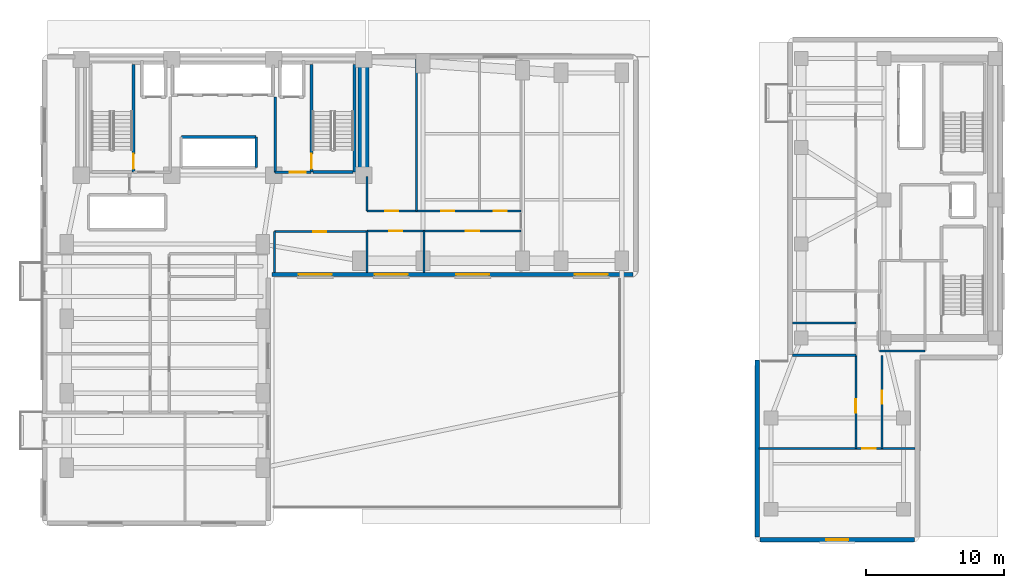
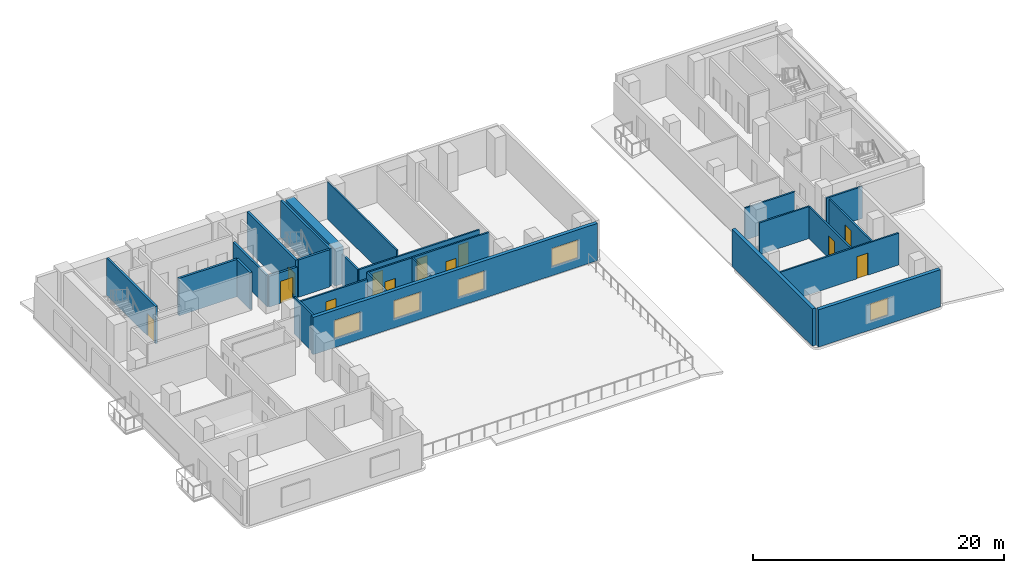
# One storey, part 4 of 10: 26 walls, 12 doors, 5 windows, 17 openings.
"""IFC4 building model written with IfcOpenShell, lengths in metres."""

from ifc_helpers import new_model, si_unit, direction, frame, frame_2d, origin, place, context, subcontext, project, spatial, rectangle, extrude, material, layer, layer_set, type_object, element, fill, save


model = new_model("IFC4")

# Units and contexts
model_context = context("Model", 3, precision=1e-05, world=origin(), true_north=direction((0.0, 1.0)))
body_context = subcontext(model_context, "Body", "Model", "MODEL_VIEW")
ifc_project = project(units=[si_unit("LENGTHUNIT", "METRE"), si_unit("AREAUNIT", "SQUARE_METRE"), si_unit("VOLUMEUNIT", "CUBIC_METRE"), si_unit("PLANEANGLEUNIT", "RADIAN"), si_unit("MASSUNIT", "GRAM", prefix="KILO")], contexts=[model_context])

# Site, building, storey
site_placement = place(None, origin())
site = spatial("IfcSite", under=ifc_project, at=site_placement, CompositionType="ELEMENT")
building_placement = place(site_placement, origin())
building = spatial("IfcBuilding", under=site, at=building_placement, Name="Kuzgunbayir Cultural Tower", CompositionType="ELEMENT")
storey_placement = place(building_placement, frame((0.0, 0.0, 26.39990234375)))
storey = spatial("IfcBuildingStorey", under=building, at=storey_placement, Name="L06", CompositionType="ELEMENT", Elevation=26.39990234375)

# Wall
ifc_material_1 = material(Name="Concrete C60/75", Category="concrete")
ifc_layer_1 = layer(ifc_material_1, 0.800048828125)
ifc_layer_set_1 = layer_set([ifc_layer_1], Name="Concrete C60/75")
wall_type_1 = type_object("IfcWallType", Name="WAL-CORE-800", PredefinedType="SHEAR", material=ifc_layer_set_1)
wall_1_placement = place(storey_placement, frame((26.89990234375, 33.800048828125, 0.0), z_axis=(0.0, 0.0, 1.0), x_axis=(0.0, 1.0, 0.0)))
element("IfcWall", 1, at=wall_1_placement, inside=storey, type_object=wall_type_1, Name="L06 T1 Core East Shear Wall", PredefinedType="SHEAR", context=body_context, shape_type="SweptSolid", body=[
    extrude(rectangle(XDim=7.949951171875, YDim=0.800048828125, at=frame_2d((3.97509765625, 0.0))), origin(), (0.0, 0.0, 1.0), 3.6201171875),
])

# Wall, openings, windows
ifc_material_2 = material(Name="Travertine Buff Ashlar", Category="masonry")
ifc_layer_2 = layer(ifc_material_2, 0.320068359375)
ifc_layer_set_2 = layer_set([ifc_layer_2], Name="Travertine Buff Ashlar")
wall_type_2 = type_object("IfcWallType", Name="WAL-EXT-STONE-320", PredefinedType="STANDARD", material=ifc_layer_set_2)
wall_2_placement = place(storey_placement, frame((20.25, 26.60009765625, 0.0), z_axis=(0.0, 0.0, 1.0), x_axis=(1.0, 0.0, 0.0)))
wall_2 = element("IfcWall", 2, at=wall_2_placement, inside=storey, type_object=wall_type_2, Name="L06 Wing B South Limestone Wall", PredefinedType="STANDARD", context=body_context, shape_type="SweptSolid", body=[
    extrude(rectangle(XDim=26.14990234375, YDim=0.320068359375, at=frame_2d((13.074951171875, 0.0))), origin(), (0.0, 0.0, 1.0), 3.6201171875),
])
opening_1_placement = place(wall_2_placement, frame((1.949951171875, 0.0, 0.85009765625)))
opening_1 = element("IfcOpeningElement", 3, at=opening_1_placement, cuts=wall_2, Name="Opening WO-24", PredefinedType="OPENING", context=body_context, shape_type="SweptSolid", body=[
    extrude(rectangle(XDim=2.39990234375, YDim=1.800048828125, at=frame_2d((1.199951171875, 0.89990234375))), frame((0.0, 0.169921875, 0.0), z_axis=(0.0, -1.0, 0.0), x_axis=(1.0, 0.0, 0.0)), (0.0, 0.0, 1.0), 0.340087890625),
])
opening_2_placement = place(wall_2_placement, frame((7.449951171875, 0.0, 0.85009765625)))
opening_2 = element("IfcOpeningElement", 4, at=opening_2_placement, cuts=wall_2, Name="Opening WO-24", PredefinedType="OPENING", context=body_context, shape_type="SweptSolid", body=[
    extrude(rectangle(XDim=2.39990234375, YDim=1.800048828125, at=frame_2d((1.199951171875, 0.89990234375))), frame((0.0, 0.169921875, 0.0), z_axis=(0.0, -1.0, 0.0), x_axis=(1.0, 0.0, 0.0)), (0.0, 0.0, 1.0), 0.340087890625),
])
opening_3_placement = place(wall_2_placement, frame((13.35009765625, 0.0, 0.85009765625)))
opening_3 = element("IfcOpeningElement", 5, at=opening_3_placement, cuts=wall_2, Name="Opening WO-24", PredefinedType="OPENING", context=body_context, shape_type="SweptSolid", body=[
    extrude(rectangle(XDim=2.39990234375, YDim=1.800048828125, at=frame_2d((1.199951171875, 0.89990234375))), frame((0.0, 0.169921875, 0.0), z_axis=(0.0, -1.0, 0.0), x_axis=(1.0, 0.0, 0.0)), (0.0, 0.0, 1.0), 0.340087890625),
])
opening_4_placement = place(wall_2_placement, frame((21.949951171875, 0.0, 0.85009765625)))
opening_4 = element("IfcOpeningElement", 6, at=opening_4_placement, cuts=wall_2, Name="Opening WO-24", PredefinedType="OPENING", context=body_context, shape_type="SweptSolid", body=[
    extrude(rectangle(XDim=2.39990234375, YDim=1.800048828125, at=frame_2d((1.199951171875, 0.89990234375))), frame((0.0, 0.169921875, 0.0), z_axis=(0.0, -1.0, 0.0), x_axis=(1.0, 0.0, 0.0)), (0.0, 0.0, 1.0), 0.340087890625),
])
ifc_material_3 = material(Name="Solar-Control Triple Glazing", Category="glass")
window_type_1 = type_object("IfcWindowType", Name="WIN-OFFICE-24", PartitioningType="SINGLE_PANEL", PredefinedType="WINDOW", material=ifc_material_3)
window_1_placement = place(opening_1_placement, origin())
window_1 = element("IfcWindow", 7, at=window_1_placement, inside=storey, type_object=window_type_1, Name="L06 WBS Facade Window 8", OverallHeight=1.800048828125, OverallWidth=2.39990234375, PartitioningType="SINGLE_PANEL", PredefinedType="WINDOW", context=body_context, shape_type="SweptSolid", body=[
    extrude(rectangle(XDim=2.39990234375, YDim=1.800048828125, at=frame_2d((1.199951171875, 0.89990234375))), frame((0.0, 0.030029296875, 0.0), z_axis=(0.0, -1.0, 0.0), x_axis=(1.0, 0.0, 0.0)), (0.0, 0.0, 1.0), 0.06005859375),
])
fill(opening_1, window_1)
window_2_placement = place(opening_2_placement, origin())
window_2 = element("IfcWindow", 8, at=window_2_placement, inside=storey, type_object=window_type_1, Name="L06 WBS Facade Window 9", OverallHeight=1.800048828125, OverallWidth=2.39990234375, PartitioningType="SINGLE_PANEL", PredefinedType="WINDOW", context=body_context, shape_type="SweptSolid", body=[
    extrude(rectangle(XDim=2.39990234375, YDim=1.800048828125, at=frame_2d((1.199951171875, 0.89990234375))), frame((0.0, 0.030029296875, 0.0), z_axis=(0.0, -1.0, 0.0), x_axis=(1.0, 0.0, 0.0)), (0.0, 0.0, 1.0), 0.06005859375),
])
fill(opening_2, window_2)
window_3_placement = place(opening_3_placement, origin())
window_3 = element("IfcWindow", 9, at=window_3_placement, inside=storey, type_object=window_type_1, Name="L06 WBS Facade Window 10", OverallHeight=1.800048828125, OverallWidth=2.39990234375, PartitioningType="SINGLE_PANEL", PredefinedType="WINDOW", context=body_context, shape_type="SweptSolid", body=[
    extrude(rectangle(XDim=2.39990234375, YDim=1.800048828125, at=frame_2d((1.199951171875, 0.89990234375))), frame((0.0, 0.030029296875, 0.0), z_axis=(0.0, -1.0, 0.0), x_axis=(1.0, 0.0, 0.0)), (0.0, 0.0, 1.0), 0.06005859375),
])
fill(opening_3, window_3)
window_4_placement = place(opening_4_placement, origin())
window_4 = element("IfcWindow", 10, at=window_4_placement, inside=storey, type_object=window_type_1, Name="L06 WBS Facade Window 11", OverallHeight=1.800048828125, OverallWidth=2.39990234375, PartitioningType="SINGLE_PANEL", PredefinedType="WINDOW", context=body_context, shape_type="SweptSolid", body=[
    extrude(rectangle(XDim=2.39990234375, YDim=1.800048828125, at=frame_2d((1.199951171875, 0.89990234375))), frame((0.0, 0.030029296875, 0.0), z_axis=(0.0, -1.0, 0.0), x_axis=(1.0, 0.0, 0.0)), (0.0, 0.0, 1.0), 0.06005859375),
])
fill(opening_4, window_4)

# Wall, opening, window
wall_3_placement = place(storey_placement, frame((55.60009765625, 7.39990234375, 0.0), z_axis=(0.0, 0.0, 1.0), x_axis=(1.0, 0.0, 0.0)))
wall_3 = element("IfcWall", 11, at=wall_3_placement, inside=storey, type_object=wall_type_2, Name="L06 Companion Wing B South Wall", PredefinedType="STANDARD", context=body_context, shape_type="SweptSolid", body=[
    extrude(rectangle(XDim=11.199951171875, YDim=0.320068359375, at=frame_2d((5.60009765625, 0.0))), origin(), (0.0, 0.0, 1.0), 3.6201171875),
])
opening_5_placement = place(wall_3_placement, frame((4.800048828125, 0.0, 0.85009765625)))
opening_5 = element("IfcOpeningElement", 12, at=opening_5_placement, cuts=wall_3, Name="Opening WC-16", PredefinedType="OPENING", context=body_context, shape_type="SweptSolid", body=[
    extrude(rectangle(XDim=1.60009765625, YDim=1.699951171875, at=frame_2d((0.800048828125, 0.85009765625))), frame((0.0, 0.169921875, 0.0), z_axis=(0.0, -1.0, 0.0), x_axis=(1.0, 0.0, 0.0)), (0.0, 0.0, 1.0), 0.340087890625),
])
window_type_2 = type_object("IfcWindowType", Name="WIN-COMP-16", PartitioningType="SINGLE_PANEL", PredefinedType="WINDOW", material=ifc_material_3)
window_5_placement = place(opening_5_placement, origin())
window_5 = element("IfcWindow", 13, at=window_5_placement, inside=storey, type_object=window_type_2, Name="L06 Companion South Window", OverallHeight=1.699951171875, OverallWidth=1.60009765625, PartitioningType="SINGLE_PANEL", PredefinedType="WINDOW", context=body_context, shape_type="SweptSolid", body=[
    extrude(rectangle(XDim=1.60009765625, YDim=1.699951171875, at=frame_2d((0.800048828125, 0.85009765625))), frame((0.0, 0.030029296875, 0.0), z_axis=(0.0, -1.0, 0.0), x_axis=(1.0, 0.0, 0.0)), (0.0, 0.0, 1.0), 0.06005859375),
])
fill(opening_5, window_5)

# Wall
wall_4_placement = place(storey_placement, frame((55.39990234375, 20.39990234375, 0.0), z_axis=(0.0, 0.0, 1.0), x_axis=(0.0, -1.0, 0.0)))
element("IfcWall", 14, at=wall_4_placement, inside=storey, type_object=wall_type_2, Name="L06 Companion Wing B West Wall", PredefinedType="STANDARD", context=body_context, shape_type="SweptSolid", body=[
    extrude(rectangle(XDim=12.7998046875, YDim=0.320068359375, at=frame_2d((6.39990234375, 0.0))), origin(), (0.0, 0.0, 1.0), 3.6201171875),
])

# Wall, opening, door
ifc_material_4 = material(Name="Acoustic Double-Stud Drywall", Category="gypsum")
ifc_layer_3 = layer(ifc_material_4, 0.14990234375)
ifc_layer_set_3 = layer_set([ifc_layer_3], Name="Acoustic Double-Stud Drywall")
wall_type_3 = type_object("IfcWallType", Name="WAL-PART-ACOUSTIC-150", PredefinedType="PARTITIONING", material=ifc_layer_set_3)
wall_5_placement = place(storey_placement, frame((20.449951171875, 29.699951171875, 0.0), z_axis=(0.0, 0.0, 1.0), x_axis=(1.0, 0.0, 0.0)))
wall_5 = element("IfcWall", 15, at=wall_5_placement, inside=storey, type_object=wall_type_3, Name="L06 Waist Alcove North Wall", PredefinedType="PARTITIONING", context=body_context, shape_type="SweptSolid", body=[
    extrude(rectangle(XDim=6.699951171875, YDim=0.14990234375, at=frame_2d((3.35009765625, 0.0))), origin(), (0.0, 0.0, 1.0), 3.0),
])
opening_6_placement = place(wall_5_placement, frame((2.800048828125, 0.0, 0.0)))
opening_6 = element("IfcOpeningElement", 16, at=opening_6_placement, cuts=wall_5, Name="Opening DI-90", PredefinedType="OPENING", context=body_context, shape_type="SweptSolid", body=[
    extrude(rectangle(XDim=0.949951171875, YDim=2.14990234375, at=frame_2d((0.47509765625, 1.074951171875))), frame((0.0, 0.0849609375, 0.0), z_axis=(0.0, -1.0, 0.0), x_axis=(1.0, 0.0, 0.0)), (0.0, 0.0, 1.0), 0.169921875),
])
ifc_material_5 = material(Name="Veneered Oak Single Leaf", Category="wood")
door_type_1 = type_object("IfcDoorType", Name="DR-INT-90", OperationType="NOTDEFINED", PredefinedType="DOOR", material=ifc_material_5)
door_1_placement = place(opening_6_placement, origin())
door_1 = element("IfcDoor", 17, at=door_1_placement, inside=storey, type_object=door_type_1, Name="L06 Waist Alcove Door", OperationType="SINGLE_SWING_LEFT", OverallHeight=2.14990234375, OverallWidth=0.949951171875, PredefinedType="DOOR", context=body_context, shape_type="SweptSolid", body=[
    extrude(rectangle(XDim=0.949951171875, YDim=2.14990234375, at=frame_2d((0.47509765625, 1.074951171875))), frame((0.0, 0.02490234375, 0.0), z_axis=(0.0, -1.0, 0.0), x_axis=(1.0, 0.0, 0.0)), (0.0, 0.0, 1.0), 0.050048828125),
])
fill(opening_6, door_1)

# Walls
wall_6_placement = place(storey_placement, frame((20.449951171875, 26.75, 0.0), z_axis=(0.0, 0.0, 1.0), x_axis=(0.0, 1.0, 0.0)))
element("IfcWall", 18, at=wall_6_placement, inside=storey, type_object=wall_type_3, Name="L06 Waist Alcove West Wall", PredefinedType="PARTITIONING", context=body_context, shape_type="SweptSolid", body=[
    extrude(rectangle(XDim=2.949951171875, YDim=0.14990234375, at=frame_2d((1.47509765625, 0.0))), origin(), (0.0, 0.0, 1.0), 3.6201171875),
])
wall_7_placement = place(storey_placement, frame((27.14990234375, 26.75, 0.0), z_axis=(0.0, 0.0, 1.0), x_axis=(0.0, 1.0, 0.0)))
element("IfcWall", 19, at=wall_7_placement, inside=storey, type_object=wall_type_3, Name="L06 Waist Alcove East Wall", PredefinedType="PARTITIONING", context=body_context, shape_type="SweptSolid", body=[
    extrude(rectangle(XDim=3.0, YDim=0.14990234375, at=frame_2d((1.5, 0.0))), origin(), (0.0, 0.0, 1.0), 3.6201171875),
])

# Wall, openings, doors
wall_8_placement = place(storey_placement, frame((27.14990234375, 29.75, 0.0), z_axis=(0.0, 0.0, 1.0), x_axis=(1.0, 0.0, 0.0)))
wall_8 = element("IfcWall", 20, at=wall_8_placement, inside=storey, type_object=wall_type_3, Name="L06 Wing B Corridor South Wall", PredefinedType="PARTITIONING", context=body_context, shape_type="SweptSolid", body=[
    extrude(rectangle(XDim=11.150146484375, YDim=0.14990234375, at=frame_2d((5.5751953125, 0.0))), origin(), (0.0, 0.0, 1.0), 3.6201171875),
])
opening_7_placement = place(wall_8_placement, frame((1.590087890625, 0.0, 0.0)))
opening_7 = element("IfcOpeningElement", 21, at=opening_7_placement, cuts=wall_8, Name="Opening DI-90", PredefinedType="OPENING", context=body_context, shape_type="SweptSolid", body=[
    extrude(rectangle(XDim=0.949951171875, YDim=2.14990234375, at=frame_2d((0.47509765625, 1.074951171875))), frame((0.0, 0.0849609375, 0.0), z_axis=(0.0, -1.0, 0.0), x_axis=(1.0, 0.0, 0.0)), (0.0, 0.0, 1.0), 0.169921875),
])
opening_8_placement = place(wall_8_placement, frame((7.159912109375, 0.0, 0.0)))
opening_8 = element("IfcOpeningElement", 22, at=opening_8_placement, cuts=wall_8, Name="Opening DI-90", PredefinedType="OPENING", context=body_context, shape_type="SweptSolid", body=[
    extrude(rectangle(XDim=0.949951171875, YDim=2.14990234375, at=frame_2d((0.47509765625, 1.074951171875))), frame((0.0, 0.0849609375, 0.0), z_axis=(0.0, -1.0, 0.0), x_axis=(1.0, 0.0, 0.0)), (0.0, 0.0, 1.0), 0.169921875),
])
door_2_placement = place(opening_7_placement, origin())
door_2 = element("IfcDoor", 23, at=door_2_placement, inside=storey, type_object=door_type_1, Name="L06 Wing B Curatorial Office 1 Door", OperationType="SINGLE_SWING_RIGHT", OverallHeight=2.14990234375, OverallWidth=0.949951171875, PredefinedType="DOOR", context=body_context, shape_type="SweptSolid", body=[
    extrude(rectangle(XDim=0.949951171875, YDim=2.14990234375, at=frame_2d((0.47509765625, 1.074951171875))), frame((0.0, 0.02490234375, 0.0), z_axis=(0.0, -1.0, 0.0), x_axis=(1.0, 0.0, 0.0)), (0.0, 0.0, 1.0), 0.050048828125),
])
fill(opening_7, door_2)
door_3_placement = place(opening_8_placement, origin())
door_3 = element("IfcDoor", 24, at=door_3_placement, inside=storey, type_object=door_type_1, Name="L06 Wing B Fellows Reading Lounge 2 Door", OperationType="SINGLE_SWING_LEFT", OverallHeight=2.14990234375, OverallWidth=0.949951171875, PredefinedType="DOOR", context=body_context, shape_type="SweptSolid", body=[
    extrude(rectangle(XDim=0.949951171875, YDim=2.14990234375, at=frame_2d((0.47509765625, 1.074951171875))), frame((0.0, 0.02490234375, 0.0), z_axis=(0.0, -1.0, 0.0), x_axis=(1.0, 0.0, 0.0)), (0.0, 0.0, 1.0), 0.050048828125),
])
fill(opening_8, door_3)

wall_9_placement = place(storey_placement, frame((27.14990234375, 31.199951171875, 0.0), z_axis=(0.0, 0.0, 1.0), x_axis=(1.0, 0.0, 0.0)))
wall_9 = element("IfcWall", 25, at=wall_9_placement, inside=storey, type_object=wall_type_3, Name="L06 Wing B Corridor North Wall", PredefinedType="PARTITIONING", context=body_context, shape_type="SweptSolid", body=[
    extrude(rectangle(XDim=11.150146484375, YDim=0.14990234375, at=frame_2d((5.5751953125, 0.0))), origin(), (0.0, 0.0, 1.0), 3.0),
])
opening_9_placement = place(wall_9_placement, frame((1.31005859375, 0.0, 0.0)))
opening_9 = element("IfcOpeningElement", 26, at=opening_9_placement, cuts=wall_9, Name="Opening DI-90", PredefinedType="OPENING", context=body_context, shape_type="SweptSolid", body=[
    extrude(rectangle(XDim=0.949951171875, YDim=2.14990234375, at=frame_2d((0.47509765625, 1.074951171875))), frame((0.0, 0.0849609375, 0.0), z_axis=(0.0, -1.0, 0.0), x_axis=(1.0, 0.0, 0.0)), (0.0, 0.0, 1.0), 0.169921875),
])
opening_10_placement = place(wall_9_placement, frame((5.3701171875, 0.0, 0.0)))
opening_10 = element("IfcOpeningElement", 27, at=opening_10_placement, cuts=wall_9, Name="Opening DI-90", PredefinedType="OPENING", context=body_context, shape_type="SweptSolid", body=[
    extrude(rectangle(XDim=0.949951171875, YDim=2.14990234375, at=frame_2d((0.47509765625, 1.074951171875))), frame((0.0, 0.0849609375, 0.0), z_axis=(0.0, -1.0, 0.0), x_axis=(1.0, 0.0, 0.0)), (0.0, 0.0, 1.0), 0.169921875),
])
opening_11_placement = place(wall_9_placement, frame((9.169921875, 0.0, 0.0)))
opening_11 = element("IfcOpeningElement", 28, at=opening_11_placement, cuts=wall_9, Name="Opening DI-90", PredefinedType="OPENING", context=body_context, shape_type="SweptSolid", body=[
    extrude(rectangle(XDim=0.949951171875, YDim=2.14990234375, at=frame_2d((0.47509765625, 1.074951171875))), frame((0.0, 0.0849609375, 0.0), z_axis=(0.0, -1.0, 0.0), x_axis=(1.0, 0.0, 0.0)), (0.0, 0.0, 1.0), 0.169921875),
])
door_4_placement = place(opening_9_placement, origin())
door_4 = element("IfcDoor", 29, at=door_4_placement, inside=storey, type_object=door_type_1, Name="L06 Wing B North Curatorial Office 1 Door", OperationType="SINGLE_SWING_RIGHT", OverallHeight=2.14990234375, OverallWidth=0.949951171875, PredefinedType="DOOR", context=body_context, shape_type="SweptSolid", body=[
    extrude(rectangle(XDim=0.949951171875, YDim=2.14990234375, at=frame_2d((0.47509765625, 1.074951171875))), frame((0.0, 0.02490234375, 0.0), z_axis=(0.0, -1.0, 0.0), x_axis=(1.0, 0.0, 0.0)), (0.0, 0.0, 1.0), 0.050048828125),
])
fill(opening_9, door_4)
door_5_placement = place(opening_10_placement, origin())
door_5 = element("IfcDoor", 30, at=door_5_placement, inside=storey, type_object=door_type_1, Name="L06 Wing B North Seminar Boardroom 2 Door", OperationType="SINGLE_SWING_LEFT", OverallHeight=2.14990234375, OverallWidth=0.949951171875, PredefinedType="DOOR", context=body_context, shape_type="SweptSolid", body=[
    extrude(rectangle(XDim=0.949951171875, YDim=2.14990234375, at=frame_2d((0.47509765625, 1.074951171875))), frame((0.0, 0.02490234375, 0.0), z_axis=(0.0, -1.0, 0.0), x_axis=(1.0, 0.0, 0.0)), (0.0, 0.0, 1.0), 0.050048828125),
])
fill(opening_10, door_5)
door_6_placement = place(opening_11_placement, origin())
door_6 = element("IfcDoor", 31, at=door_6_placement, inside=storey, type_object=door_type_1, Name="L06 Wing B North Wellness Consultation Studio 3 Door", OperationType="SINGLE_SWING_RIGHT", OverallHeight=2.14990234375, OverallWidth=0.949951171875, PredefinedType="DOOR", context=body_context, shape_type="SweptSolid", body=[
    extrude(rectangle(XDim=0.949951171875, YDim=2.14990234375, at=frame_2d((0.47509765625, 1.074951171875))), frame((0.0, 0.02490234375, 0.0), z_axis=(0.0, -1.0, 0.0), x_axis=(1.0, 0.0, 0.0)), (0.0, 0.0, 1.0), 0.050048828125),
])
fill(opening_11, door_6)

# Walls
wall_10_placement = place(storey_placement, frame((27.14990234375, 31.199951171875, 0.0), z_axis=(0.0, 0.0, 1.0), x_axis=(0.0, 1.0, 0.0)))
element("IfcWall", 32, at=wall_10_placement, inside=storey, type_object=wall_type_3, Name="L06 Wing B North Core Closure Wall", PredefinedType="PARTITIONING", context=body_context, shape_type="SweptSolid", body=[
    extrude(rectangle(XDim=2.47998046875, YDim=0.14990234375, at=frame_2d((1.239990234375, 0.0))), origin(), (0.0, 0.0, 1.0), 3.0),
])
wall_11_placement = place(storey_placement, frame((31.280029296875, 26.75, 0.0), z_axis=(0.0, 0.0, 1.0), x_axis=(0.0, 1.0, 0.0)))
element("IfcWall", 33, at=wall_11_placement, inside=storey, type_object=wall_type_3, Name="L06 Wing B South Partition 1", PredefinedType="PARTITIONING", context=body_context, shape_type="SweptSolid", body=[
    extrude(rectangle(XDim=3.0, YDim=0.14990234375, at=frame_2d((1.5, 0.0))), origin(), (0.0, 0.0, 1.0), 3.6201171875),
])
wall_12_placement = place(storey_placement, frame((30.719970703125, 31.199951171875, 0.0), z_axis=(0.0, 0.0, 1.0), x_axis=(0.0, 1.0, 0.0)))
element("IfcWall", 34, at=wall_12_placement, inside=storey, type_object=wall_type_3, Name="L06 Wing B North Partition 1", PredefinedType="PARTITIONING", context=body_context, shape_type="SweptSolid", body=[
    extrude(rectangle(XDim=11.0, YDim=0.14990234375, at=frame_2d((5.5, 0.0))), origin(), (0.0, 0.0, 1.0), 3.6201171875),
])
wall_13_placement = place(storey_placement, frame((64.25, 21.050048828125, 0.0), z_axis=(0.0, 0.0, 1.0), x_axis=(1.0, 0.0, 0.0)))
element("IfcWall", 35, at=wall_13_placement, inside=storey, type_object=wall_type_3, Name="L06 Companion Archive South Wall", PredefinedType="PARTITIONING", context=body_context, shape_type="SweptSolid", body=[
    extrude(rectangle(XDim=3.300048828125, YDim=0.14990234375, at=frame_2d((1.64990234375, 0.0))), origin(), (0.0, 0.0, 1.0), 3.10009765625),
])

# Wall, opening, door
wall_14_placement = place(storey_placement, frame((62.550048828125, 14.0, 0.0), z_axis=(0.0, 0.0, 1.0), x_axis=(0.0, 1.0, 0.0)))
wall_14 = element("IfcWall", 36, at=wall_14_placement, inside=storey, type_object=wall_type_3, Name="L06 Companion South Corridor West Wall", PredefinedType="PARTITIONING", context=body_context, shape_type="SweptSolid", body=[
    extrude(rectangle(XDim=6.75, YDim=0.14990234375, at=frame_2d((3.375, 0.0))), origin(), (0.0, 0.0, 1.0), 3.10009765625),
])
opening_12_placement = place(wall_14_placement, frame((2.60009765625, 0.0, 0.0)))
opening_12 = element("IfcOpeningElement", 37, at=opening_12_placement, cuts=wall_14, Name="Opening DI-90", PredefinedType="OPENING", context=body_context, shape_type="SweptSolid", body=[
    extrude(rectangle(XDim=0.949951171875, YDim=2.14990234375, at=frame_2d((0.47509765625, 1.074951171875))), frame((0.0, 0.0849609375, 0.0), z_axis=(0.0, -1.0, 0.0), x_axis=(1.0, 0.0, 0.0)), (0.0, 0.0, 1.0), 0.169921875),
])
door_7_placement = place(opening_12_placement, origin())
door_7 = element("IfcDoor", 38, at=door_7_placement, inside=storey, type_object=door_type_1, Name="L06 Companion West Atelier Door", OperationType="SINGLE_SWING_RIGHT", OverallHeight=2.14990234375, OverallWidth=0.949951171875, PredefinedType="DOOR", context=body_context, shape_type="SweptSolid", body=[
    extrude(rectangle(XDim=0.949951171875, YDim=2.14990234375, at=frame_2d((0.47509765625, 1.074951171875))), frame((0.0, 0.02490234375, 0.0), z_axis=(0.0, -1.0, 0.0), x_axis=(1.0, 0.0, 0.0)), (0.0, 0.0, 1.0), 0.050048828125),
])
fill(opening_12, door_7)

wall_15_placement = place(storey_placement, frame((55.550048828125, 14.0, 0.0), z_axis=(0.0, 0.0, 1.0), x_axis=(1.0, 0.0, 0.0)))
wall_15 = element("IfcWall", 39, at=wall_15_placement, inside=storey, type_object=wall_type_3, Name="L06 Companion South Gallery Wall", PredefinedType="PARTITIONING", context=body_context, shape_type="SweptSolid", body=[
    extrude(rectangle(XDim=11.300048828125, YDim=0.14990234375, at=frame_2d((5.64990234375, 0.0))), origin(), (0.0, 0.0, 1.0), 3.10009765625),
])
opening_13_placement = place(wall_15_placement, frame((7.449951171875, 0.0, 0.0)))
opening_13 = element("IfcOpeningElement", 40, at=opening_13_placement, cuts=wall_15, Name="Opening DI-100", PredefinedType="OPENING", context=body_context, shape_type="SweptSolid", body=[
    extrude(rectangle(XDim=1.0, YDim=2.14990234375, at=frame_2d((0.5, 1.074951171875))), frame((0.0, 0.0849609375, 0.0), z_axis=(0.0, -1.0, 0.0), x_axis=(1.0, 0.0, 0.0)), (0.0, 0.0, 1.0), 0.169921875),
])
door_type_2 = type_object("IfcDoorType", Name="DR-INT-100", OperationType="NOTDEFINED", PredefinedType="DOOR", material=ifc_material_5)
door_8_placement = place(opening_13_placement, origin())
door_8 = element("IfcDoor", 41, at=door_8_placement, inside=storey, type_object=door_type_2, Name="L06 Companion South Salon Door", OperationType="SINGLE_SWING_RIGHT", OverallHeight=2.14990234375, OverallWidth=1.0, PredefinedType="DOOR", context=body_context, shape_type="SweptSolid", body=[
    extrude(rectangle(XDim=1.0, YDim=2.14990234375, at=frame_2d((0.5, 1.074951171875))), frame((0.0, 0.02490234375, 0.0), z_axis=(0.0, -1.0, 0.0), x_axis=(1.0, 0.0, 0.0)), (0.0, 0.0, 1.0), 0.050048828125),
])
fill(opening_13, door_8)

wall_16_placement = place(storey_placement, frame((64.449951171875, 14.0, 0.0), z_axis=(0.0, 0.0, 1.0), x_axis=(0.0, 1.0, 0.0)))
wall_16 = element("IfcWall", 42, at=wall_16_placement, inside=storey, type_object=wall_type_3, Name="L06 Companion South Corridor East Wall", PredefinedType="PARTITIONING", context=body_context, shape_type="SweptSolid", body=[
    extrude(rectangle(XDim=6.75, YDim=0.14990234375, at=frame_2d((3.375, 0.0))), origin(), (0.0, 0.0, 1.0), 3.10009765625),
])
opening_14_placement = place(wall_16_placement, frame((3.239990234375, 0.0, 0.0)))
opening_14 = element("IfcOpeningElement", 43, at=opening_14_placement, cuts=wall_16, Name="Opening DI-90", PredefinedType="OPENING", context=body_context, shape_type="SweptSolid", body=[
    extrude(rectangle(XDim=0.949951171875, YDim=2.14990234375, at=frame_2d((0.47509765625, 1.074951171875))), frame((0.0, 0.0849609375, 0.0), z_axis=(0.0, -1.0, 0.0), x_axis=(1.0, 0.0, 0.0)), (0.0, 0.0, 1.0), 0.169921875),
])
door_9_placement = place(opening_14_placement, origin())
door_9 = element("IfcDoor", 44, at=door_9_placement, inside=storey, type_object=door_type_1, Name="L06 Companion East Studio Door", OperationType="SINGLE_SWING_LEFT", OverallHeight=2.14990234375, OverallWidth=0.949951171875, PredefinedType="DOOR", context=body_context, shape_type="SweptSolid", body=[
    extrude(rectangle(XDim=0.949951171875, YDim=2.14990234375, at=frame_2d((0.47509765625, 1.074951171875))), frame((0.0, 0.02490234375, 0.0), z_axis=(0.0, -1.0, 0.0), x_axis=(1.0, 0.0, 0.0)), (0.0, 0.0, 1.0), 0.050048828125),
])
fill(opening_14, door_9)

# Wall
ifc_material_6 = material(Name="Aerated Concrete Blockwork", Category="masonry")
ifc_layer_4 = layer(ifc_material_6, 0.199951171875)
ifc_layer_set_4 = layer_set([ifc_layer_4], Name="Aerated Concrete Blockwork")
wall_type_4 = type_object("IfcWallType", Name="WAL-PART-FIRE-200", PredefinedType="PARTITIONING", material=ifc_layer_set_4)
wall_17_placement = place(storey_placement, frame((20.5, 34.0, 0.0), z_axis=(0.0, 0.0, 1.0), x_axis=(0.0, 1.0, 0.0)))
element("IfcWall", 45, at=wall_17_placement, inside=storey, type_object=wall_type_4, Name="L06 FFL-2 Lobby West Fire Wall", PredefinedType="PARTITIONING", context=body_context, shape_type="SweptSolid", body=[
    extrude(rectangle(XDim=5.449951171875, YDim=0.199951171875, at=frame_2d((2.72509765625, 0.0))), origin(), (0.0, 0.0, 1.0), 3.0),
])

# Wall, opening, door
wall_18_placement = place(storey_placement, frame((20.5, 34.0, 0.0), z_axis=(0.0, 0.0, 1.0), x_axis=(1.0, 0.0, 0.0)))
wall_18 = element("IfcWall", 46, at=wall_18_placement, inside=storey, type_object=wall_type_4, Name="L06 FFL-2 Lobby South Fire Wall", PredefinedType="PARTITIONING", context=body_context, shape_type="SweptSolid", body=[
    extrude(rectangle(XDim=2.60009765625, YDim=0.199951171875, at=frame_2d((1.300048828125, 0.0))), origin(), (0.0, 0.0, 1.0), 3.0),
])
opening_15_placement = place(wall_18_placement, frame((1.050048828125, 0.0, 0.0)))
opening_15 = element("IfcOpeningElement", 47, at=opening_15_placement, cuts=wall_18, Name="Opening DR-FFL-90", PredefinedType="OPENING", context=body_context, shape_type="SweptSolid", body=[
    extrude(rectangle(XDim=1.14990234375, YDim=2.14990234375, at=frame_2d((0.574951171875, 1.074951171875))), frame((0.0, 0.10986328125, 0.0), z_axis=(0.0, -1.0, 0.0), x_axis=(1.0, 0.0, 0.0)), (0.0, 0.0, 1.0), 0.219970703125),
])
ifc_material_7 = material(Name="Steel S355J2", Category="steel")
door_type_3 = type_object("IfcDoorType", Name="DR-FFL-90", OperationType="NOTDEFINED", PredefinedType="DOOR", material=ifc_material_7)
door_10_placement = place(opening_15_placement, origin())
door_10 = element("IfcDoor", 48, at=door_10_placement, inside=storey, type_object=door_type_3, Name="L06 Firefighting Lobby 2 Door", OperationType="SINGLE_SWING_RIGHT", OverallHeight=2.14990234375, OverallWidth=1.14990234375, PredefinedType="DOOR", context=body_context, shape_type="SweptSolid", body=[
    extrude(rectangle(XDim=1.14990234375, YDim=2.14990234375, at=frame_2d((0.574951171875, 1.074951171875))), frame((0.0, 0.02490234375, 0.0), z_axis=(0.0, -1.0, 0.0), x_axis=(1.0, 0.0, 0.0)), (0.0, 0.0, 1.0), 0.050048828125),
])
fill(opening_15, door_10)

# Walls
ifc_material_8 = material(Name="Moisture-Resistant Tile Partition", Category="gypsum")
ifc_layer_5 = layer(ifc_material_8, 0.14990234375)
ifc_layer_set_5 = layer_set([ifc_layer_5], Name="Moisture-Resistant Tile Partition")
wall_type_5 = type_object("IfcWallType", Name="WAL-PART-WET-150", PredefinedType="PARTITIONING", material=ifc_layer_set_5)
for number, where, z_axis, x_axis, name in (
    (49, (57.949951171875, 20.75, 0.0), (0.0, 0.0, 1.0), (1.0, 0.0, 0.0), "L06 Companion WC South Wall"),
    (50, (57.949951171875, 23.10009765625, 0.0), (0.0, 0.0, 1.0), (1.0, 0.0, 0.0), "L06 Companion WC North Wall"),
):
    element("IfcWall", number, at=place(storey_placement, frame(where, z_axis=z_axis, x_axis=x_axis)), inside=storey, type_object=wall_type_5, Name=name, PredefinedType="PARTITIONING", context=body_context, shape_type="SweptSolid", body=[
        extrude(rectangle(XDim=4.60009765625, YDim=0.14990234375, at=frame_2d((2.300048828125, 0.0))), origin(), (0.0, 0.0, 1.0), 3.10009765625),
    ])
ifc_material_9 = material(Name="Concrete C40/50", Category="concrete")
ifc_layer_6 = layer(ifc_material_9, 0.199951171875)
ifc_layer_set_6 = layer_set([ifc_layer_6], Name="Concrete C40/50")
wall_type_6 = type_object("IfcWallType", Name="WAL-SHAFT-200", PredefinedType="MOVABLE", material=ifc_layer_set_6)
wall_19_placement = place(storey_placement, frame((13.699951171875, 36.550048828125, 0.0), z_axis=(0.0, 0.0, 1.0), x_axis=(1.0, 0.0, 0.0)))
element("IfcWall", 51, at=wall_19_placement, inside=storey, type_object=wall_type_6, Name="L06 Mid-Rise Lift Shaft North Wall", PredefinedType="MOVABLE", context=body_context, shape_type="SweptSolid", body=[
    extrude(rectangle(XDim=5.420166015625, YDim=0.199951171875, at=frame_2d((2.7099609375, 0.0))), origin(), (0.0, 0.0, 1.0), 3.6201171875),
])
wall_20_placement = place(storey_placement, frame((19.1201171875, 34.35009765625, 0.0), z_axis=(0.0, 0.0, 1.0), x_axis=(0.0, 1.0, 0.0)))
element("IfcWall", 52, at=wall_20_placement, inside=storey, type_object=wall_type_6, Name="L06 Mid-Rise Lift Shaft East Wall", PredefinedType="MOVABLE", context=body_context, shape_type="SweptSolid", body=[
    extrude(rectangle(XDim=2.199951171875, YDim=0.199951171875, at=frame_2d((1.10009765625, 0.0))), origin(), (0.0, 0.0, 1.0), 3.6201171875),
])

# Wall, opening, door
ifc_layer_7 = layer(ifc_material_9, 0.199951171875)
ifc_layer_set_7 = layer_set([ifc_layer_7], Name="Concrete C40/50")
wall_type_7 = type_object("IfcWallType", Name="WAL-STAIR-RC-200", PredefinedType="SHEAR", material=ifc_layer_set_7)
wall_21_placement = place(storey_placement, frame((10.239990234375, 34.02001953125, 0.0), z_axis=(0.0, 0.0, 1.0), x_axis=(0.0, 1.0, 0.0)))
wall_21 = element("IfcWall", 53, at=wall_21_placement, inside=storey, type_object=wall_type_7, Name="L06 Stair ST-1 East Structural Wall", PredefinedType="SHEAR", context=body_context, shape_type="SweptSolid", body=[
    extrude(rectangle(XDim=7.780029296875, YDim=0.199951171875, at=frame_2d((3.89013671875, 0.0))), origin(), (0.0, 0.0, 1.0), 3.6201171875),
])
opening_16_placement = place(wall_21_placement, frame((0.219970703125, 0.0, 0.0)))
opening_16 = element("IfcOpeningElement", 54, at=opening_16_placement, cuts=wall_21, Name="Opening DR-STAIR-90", PredefinedType="OPENING", context=body_context, shape_type="SweptSolid", body=[
    extrude(rectangle(XDim=1.10009765625, YDim=2.14990234375, at=frame_2d((0.550048828125, 1.074951171875))), frame((0.0, 0.10986328125, 0.0), z_axis=(0.0, -1.0, 0.0), x_axis=(1.0, 0.0, 0.0)), (0.0, 0.0, 1.0), 0.219970703125),
])
door_type_4 = type_object("IfcDoorType", Name="DR-STAIR-90", OperationType="NOTDEFINED", PredefinedType="DOOR", material=ifc_material_7)
door_11_placement = place(opening_16_placement, origin())
door_11 = element("IfcDoor", 55, at=door_11_placement, inside=storey, type_object=door_type_4, Name="L06 Stair ST-1 Fire Door", OperationType="SINGLE_SWING_RIGHT", OverallHeight=2.14990234375, OverallWidth=1.10009765625, PredefinedType="DOOR", context=body_context, shape_type="SweptSolid", body=[
    extrude(rectangle(XDim=1.10009765625, YDim=2.14990234375, at=frame_2d((0.550048828125, 1.074951171875))), frame((0.0, 0.02490234375, 0.0), z_axis=(0.0, -1.0, 0.0), x_axis=(1.0, 0.0, 0.0)), (0.0, 0.0, 1.0), 0.050048828125),
])
fill(opening_16, door_11)

wall_22_placement = place(storey_placement, frame((23.1201171875, 34.02001953125, 0.0), z_axis=(0.0, 0.0, 1.0), x_axis=(0.0, 1.0, 0.0)))
wall_22 = element("IfcWall", 56, at=wall_22_placement, inside=storey, type_object=wall_type_7, Name="L06 Stair ST-2 West Structural Wall", PredefinedType="SHEAR", context=body_context, shape_type="SweptSolid", body=[
    extrude(rectangle(XDim=7.780029296875, YDim=0.199951171875, at=frame_2d((3.89013671875, 0.0))), origin(), (0.0, 0.0, 1.0), 3.6201171875),
])
opening_17_placement = place(wall_22_placement, frame((0.219970703125, 0.0, 0.0)))
opening_17 = element("IfcOpeningElement", 57, at=opening_17_placement, cuts=wall_22, Name="Opening DR-STAIR-90", PredefinedType="OPENING", context=body_context, shape_type="SweptSolid", body=[
    extrude(rectangle(XDim=1.10009765625, YDim=2.14990234375, at=frame_2d((0.550048828125, 1.074951171875))), frame((0.0, 0.10986328125, 0.0), z_axis=(0.0, -1.0, 0.0), x_axis=(1.0, 0.0, 0.0)), (0.0, 0.0, 1.0), 0.219970703125),
])
door_12_placement = place(opening_17_placement, origin())
door_12 = element("IfcDoor", 58, at=door_12_placement, inside=storey, type_object=door_type_4, Name="L06 Stair ST-2 Fire Door", OperationType="SINGLE_SWING_RIGHT", OverallHeight=2.14990234375, OverallWidth=1.10009765625, PredefinedType="DOOR", context=body_context, shape_type="SweptSolid", body=[
    extrude(rectangle(XDim=1.10009765625, YDim=2.14990234375, at=frame_2d((0.550048828125, 1.074951171875))), frame((0.0, 0.02490234375, 0.0), z_axis=(0.0, -1.0, 0.0), x_axis=(1.0, 0.0, 0.0)), (0.0, 0.0, 1.0), 0.050048828125),
])
fill(opening_17, door_12)

# Walls
wall_23_placement = place(storey_placement, frame((26.239990234375, 34.02001953125, 0.0), z_axis=(0.0, 0.0, 1.0), x_axis=(0.0, 1.0, 0.0)))
element("IfcWall", 59, at=wall_23_placement, inside=storey, type_object=wall_type_7, Name="L06 Stair ST-2 East Structural Wall", PredefinedType="SHEAR", context=body_context, shape_type="SweptSolid", body=[
    extrude(rectangle(XDim=7.780029296875, YDim=0.199951171875, at=frame_2d((3.89013671875, 0.0))), origin(), (0.0, 0.0, 1.0), 3.6201171875),
])
wall_24_placement = place(storey_placement, frame((23.239990234375, 34.02001953125, 0.0), z_axis=(0.0, 0.0, 1.0), x_axis=(1.0, 0.0, 0.0)))
element("IfcWall", 60, at=wall_24_placement, inside=storey, type_object=wall_type_7, Name="L06 Stair ST-2 South Structural Wall", PredefinedType="SHEAR", context=body_context, shape_type="SweptSolid", body=[
    extrude(rectangle(XDim=2.880126953125, YDim=0.199951171875, at=frame_2d((1.43994140625, 0.0))), origin(), (0.0, 0.0, 1.0), 3.6201171875),
])

save(model, "model.ifc")
